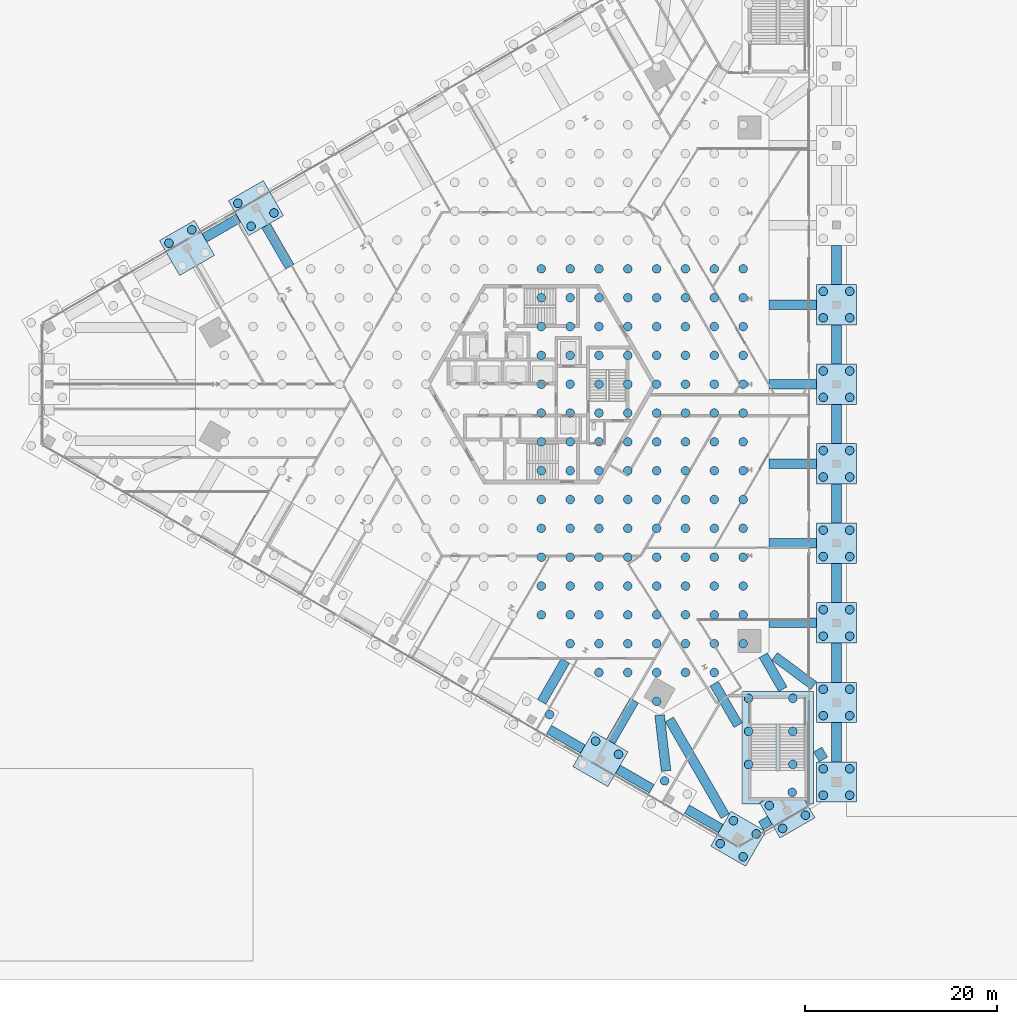
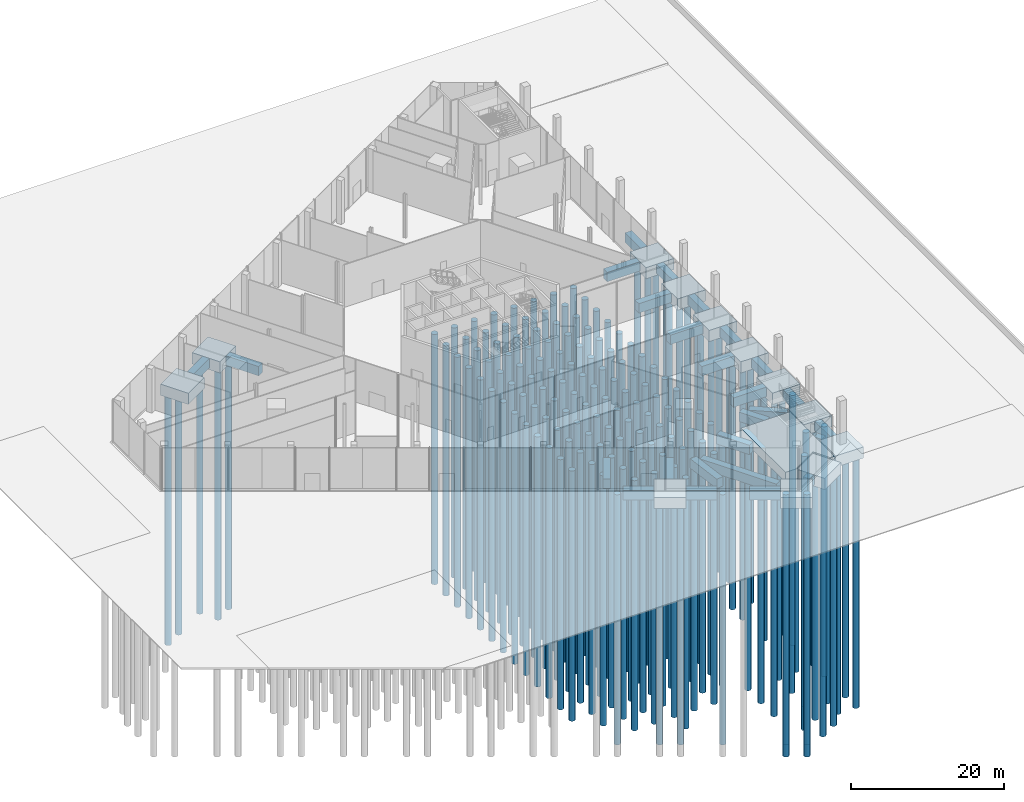
# One storey, part 2 of 27: 168 piles, 39 footings.
"""IFC4 building model written with IfcOpenShell, lengths in metres."""

from ifc_helpers import new_model, si_unit, direction, frame, origin, origin_2d, place, context, subcontext, project, spatial, polyline, rectangle, circle, outline, extrude, source, transform, mapped, material, layer, layer_set, material_profile, profile_set, type_object, element, save


model = new_model("IFC4")

# Units and contexts
model_context = context("Model", 3, precision=1e-05, world=origin(), true_north=direction((0.0, 1.0)))
body_context = subcontext(model_context, "Body", "Model", "MODEL_VIEW")
ifc_project = project(units=[si_unit("LENGTHUNIT", "METRE"), si_unit("AREAUNIT", "SQUARE_METRE"), si_unit("VOLUMEUNIT", "CUBIC_METRE"), si_unit("PLANEANGLEUNIT", "RADIAN"), si_unit("MASSUNIT", "GRAM", prefix="KILO")], contexts=[model_context])

# Site, building, storey
site_placement = place(None, origin())
site = spatial("IfcSite", under=ifc_project, at=site_placement, CompositionType="ELEMENT")
building_placement = place(site_placement, origin())
building = spatial("IfcBuilding", under=site, at=building_placement, Name="Triune Harvest Tower", CompositionType="ELEMENT")
storey_placement = place(building_placement, origin())
storey = spatial("IfcBuildingStorey", under=building, at=storey_placement, Name="L00", CompositionType="ELEMENT", Elevation=0.0)

# Footings
ifc_material_1 = material(Name="Concrete 50 MPa", Category="concrete")
ifc_layer_1 = layer(ifc_material_1, 1.60009765625)
ifc_layer_set_1 = layer_set([ifc_layer_1], Name="Concrete 50 MPa")
footing_type_1 = type_object("IfcFootingType", Name="FT-4 Stair pad 1600", PredefinedType="PILE_CAP", material=ifc_layer_set_1)
footing_1_placement = place(storey_placement, frame((0.0, 0.0, -1.60009765625)))
element("IfcFooting", 1, at=footing_1_placement, inside=storey, type_object=footing_type_1, Name="footing/ps-2", PredefinedType="PILE_CAP", context=body_context, shape_type="SweptSolid", body=[
    extrude(outline(polyline([(20.919921875, -32.0), (28.330078125, -32.0), (28.330078125, -43.699951171875), (27.689697265625, -43.699951171875), (26.385009765625, -41.4404296875), (22.69580078125, -43.5703125), (22.770751953125, -43.699951171875), (20.919921875, -43.699951171875), (20.919921875, -32.0)])), origin(), (0.0, 0.0, 1.0), 1.60009765625),
])
ifc_material_2 = material(Name="Concrete 50 MPa", Category="concrete")
ifc_material_profile_1 = material_profile(ifc_material_2, rectangle(XDim=1.0, YDim=1.5, at=origin_2d()), Name="Concrete 1000x1500")
ifc_profile_set_1 = profile_set([ifc_material_profile_1], Name="Concrete 50 MPa")
footing_type_2 = type_object("IfcFootingType", Name="GB-1 Ground beam 1000x1500", PredefinedType="FOOTING_BEAM", material=ifc_profile_set_1)
footing_2_placement = place(storey_placement, frame((25.14208984375, -31.747314453125, -0.949951171875), z_axis=(-0.500005509203, 0.866022223021, 0.0), x_axis=(-0.866022223021, -0.500005509203, 0.0)))
element("IfcFooting", 2, at=footing_2_placement, inside=storey, type_object=footing_type_2, Name="beam/ground/tie1b", PredefinedType="FOOTING_BEAM", context=body_context, shape_type="SweptSolid", body=[
    extrude(rectangle(XDim=1.0, YDim=1.5, at=origin_2d()), origin(), (0.0, 0.0, 1.0), 4.08154296875),
])

# Piles
ifc_material_3 = material(Name="Concrete 40 MPa", Category="concrete")
ifc_material_profile_2 = material_profile(ifc_material_3, circle(Radius=0.449951171875, at=origin_2d()), Name="Bored 900")
ifc_profile_set_2 = profile_set([ifc_material_profile_2], Name="Concrete 40 MPa")
pile_type = type_object("IfcPileType", Name="PL-1 Auger-cast pile 900", PredefinedType="BORED", material=ifc_profile_set_2)
shared_shape_1 = source(origin(), body_context, "Body", "SweptSolid", [
    extrude(circle(Radius=0.449951171875, at=origin_2d()), origin(), (0.0, 0.0, 1.0), 40.0),
])
for number, where, z_axis, x_axis, name in (
    (3, (0.0, -24.0, -4.10009765625), (0.0, 0.0, -1.0), (1.0, 0.0, 0.0), "pile/raft/120"),
    (4, (0.0, -21.0, -4.10009765625), (0.0, 0.0, -1.0), (1.0, 0.0, 0.0), "pile/raft/121"),
    (5, (0.0, -18.0, -4.10009765625), (0.0, 0.0, -1.0), (1.0, 0.0, 0.0), "pile/raft/122"),
    (6, (0.0, -15.0, -4.10009765625), (0.0, 0.0, -1.0), (1.0, 0.0, 0.0), "pile/raft/123"),
    (7, (0.0, -12.0, -4.10009765625), (0.0, 0.0, -1.0), (1.0, 0.0, 0.0), "pile/raft/124"),
    (8, (0.0, -9.0, -4.10009765625), (0.0, 0.0, -1.0), (1.0, 0.0, 0.0), "pile/raft/125"),
    (9, (0.0, -6.0, -4.10009765625), (0.0, 0.0, -1.0), (1.0, 0.0, 0.0), "pile/raft/126"),
    (10, (0.0, -3.0, -4.10009765625), (0.0, 0.0, -1.0), (1.0, 0.0, 0.0), "pile/raft/127"),
    (11, (0.0, 0.0, -4.10009765625), (0.0, 0.0, -1.0), (1.0, 0.0, 0.0), "pile/raft/128"),
    (12, (0.0, 3.0, -4.10009765625), (0.0, 0.0, -1.0), (1.0, 0.0, 0.0), "pile/raft/129"),
    (13, (0.0, 6.0, -4.10009765625), (0.0, 0.0, -1.0), (1.0, 0.0, 0.0), "pile/raft/130"),
    (14, (0.0, 9.0, -4.10009765625), (0.0, 0.0, -1.0), (1.0, 0.0, 0.0), "pile/raft/131"),
    (15, (0.0, 12.0, -4.10009765625), (0.0, 0.0, -1.0), (1.0, 0.0, 0.0), "pile/raft/132"),
    (16, (3.0, -27.0, -4.10009765625), (0.0, 0.0, -1.0), (1.0, 0.0, 0.0), "pile/raft/137"),
    (17, (3.0, -24.0, -4.10009765625), (0.0, 0.0, -1.0), (1.0, 0.0, 0.0), "pile/raft/138"),
    (18, (3.0, -21.0, -4.10009765625), (0.0, 0.0, -1.0), (1.0, 0.0, 0.0), "pile/raft/139"),
    (19, (3.0, -18.0, -4.10009765625), (0.0, 0.0, -1.0), (1.0, 0.0, 0.0), "pile/raft/140"),
    (20, (3.0, -15.0, -4.10009765625), (0.0, 0.0, -1.0), (1.0, 0.0, 0.0), "pile/raft/141"),
    (21, (3.0, -12.0, -4.10009765625), (0.0, 0.0, -1.0), (1.0, 0.0, 0.0), "pile/raft/142"),
    (22, (3.0, -9.0, -4.10009765625), (0.0, 0.0, -1.0), (1.0, 0.0, 0.0), "pile/raft/143"),
    (23, (3.0, -6.0, -4.10009765625), (0.0, 0.0, -1.0), (1.0, 0.0, 0.0), "pile/raft/144"),
    (24, (3.0, -3.0, -4.10009765625), (0.0, 0.0, -1.0), (1.0, 0.0, 0.0), "pile/raft/145"),
    (25, (3.0, 0.0, -4.10009765625), (0.0, 0.0, -1.0), (1.0, 0.0, 0.0), "pile/raft/146"),
    (26, (3.0, 3.0, -4.10009765625), (0.0, 0.0, -1.0), (1.0, 0.0, 0.0), "pile/raft/147"),
    (27, (3.0, 6.0, -4.10009765625), (0.0, 0.0, -1.0), (1.0, 0.0, 0.0), "pile/raft/148"),
    (28, (3.0, 9.0, -4.10009765625), (0.0, 0.0, -1.0), (1.0, 0.0, 0.0), "pile/raft/149"),
    (29, (3.0, 12.0, -4.10009765625), (0.0, 0.0, -1.0), (1.0, 0.0, 0.0), "pile/raft/150"),
    (30, (6.0, -30.0, -4.10009765625), (0.0, 0.0, -1.0), (1.0, 0.0, 0.0), "pile/raft/156"),
    (31, (6.0, -27.0, -4.10009765625), (0.0, 0.0, -1.0), (1.0, 0.0, 0.0), "pile/raft/157"),
    (32, (6.0, -24.0, -4.10009765625), (0.0, 0.0, -1.0), (1.0, 0.0, 0.0), "pile/raft/158"),
    (33, (6.0, -21.0, -4.10009765625), (0.0, 0.0, -1.0), (1.0, 0.0, 0.0), "pile/raft/159"),
    (34, (6.0, -18.0, -4.10009765625), (0.0, 0.0, -1.0), (1.0, 0.0, 0.0), "pile/raft/160"),
    (35, (6.0, -15.0, -4.10009765625), (0.0, 0.0, -1.0), (1.0, 0.0, 0.0), "pile/raft/161"),
    (36, (6.0, -12.0, -4.10009765625), (0.0, 0.0, -1.0), (1.0, 0.0, 0.0), "pile/raft/162"),
    (37, (6.0, -9.0, -4.10009765625), (0.0, 0.0, -1.0), (1.0, 0.0, 0.0), "pile/raft/163"),
    (38, (6.0, -6.0, -4.10009765625), (0.0, 0.0, -1.0), (1.0, 0.0, 0.0), "pile/raft/164"),
    (39, (6.0, -3.0, -4.10009765625), (0.0, 0.0, -1.0), (1.0, 0.0, 0.0), "pile/raft/165"),
    (40, (6.0, 0.0, -4.10009765625), (0.0, 0.0, -1.0), (1.0, 0.0, 0.0), "pile/raft/166"),
    (41, (6.0, 3.0, -4.10009765625), (0.0, 0.0, -1.0), (1.0, 0.0, 0.0), "pile/raft/167"),
    (42, (6.0, 6.0, -4.10009765625), (0.0, 0.0, -1.0), (1.0, 0.0, 0.0), "pile/raft/168"),
    (43, (6.0, 9.0, -4.10009765625), (0.0, 0.0, -1.0), (1.0, 0.0, 0.0), "pile/raft/169"),
    (44, (6.0, 12.0, -4.10009765625), (0.0, 0.0, -1.0), (1.0, 0.0, 0.0), "pile/raft/170"),
    (45, (9.0, -30.0, -4.10009765625), (0.0, 0.0, -1.0), (1.0, 0.0, 0.0), "pile/raft/177"),
    (46, (9.0, -27.0, -4.10009765625), (0.0, 0.0, -1.0), (1.0, 0.0, 0.0), "pile/raft/178"),
    (47, (9.0, -24.0, -4.10009765625), (0.0, 0.0, -1.0), (1.0, 0.0, 0.0), "pile/raft/179"),
    (48, (9.0, -21.0, -4.10009765625), (0.0, 0.0, -1.0), (1.0, 0.0, 0.0), "pile/raft/180"),
    (49, (9.0, -18.0, -4.10009765625), (0.0, 0.0, -1.0), (1.0, 0.0, 0.0), "pile/raft/181"),
    (50, (9.0, -15.0, -4.10009765625), (0.0, 0.0, -1.0), (1.0, 0.0, 0.0), "pile/raft/182"),
    (51, (9.0, -12.0, -4.10009765625), (0.0, 0.0, -1.0), (1.0, 0.0, 0.0), "pile/raft/183"),
    (52, (9.0, -9.0, -4.10009765625), (0.0, 0.0, -1.0), (1.0, 0.0, 0.0), "pile/raft/184"),
    (53, (9.0, -6.0, -4.10009765625), (0.0, 0.0, -1.0), (1.0, 0.0, 0.0), "pile/raft/185"),
    (54, (9.0, -3.0, -4.10009765625), (0.0, 0.0, -1.0), (1.0, 0.0, 0.0), "pile/raft/186"),
    (55, (9.0, 0.0, -4.10009765625), (0.0, 0.0, -1.0), (1.0, 0.0, 0.0), "pile/raft/187"),
    (56, (9.0, 3.0, -4.10009765625), (0.0, 0.0, -1.0), (1.0, 0.0, 0.0), "pile/raft/188"),
    (57, (9.0, 6.0, -4.10009765625), (0.0, 0.0, -1.0), (1.0, 0.0, 0.0), "pile/raft/189"),
    (58, (9.0, 9.0, -4.10009765625), (0.0, 0.0, -1.0), (1.0, 0.0, 0.0), "pile/raft/190"),
    (59, (9.0, 12.0, -4.10009765625), (0.0, 0.0, -1.0), (1.0, 0.0, 0.0), "pile/raft/191"),
    (60, (12.0, -33.0, -4.10009765625), (0.0, 0.0, -1.0), (1.0, 0.0, 0.0), "pile/raft/198"),
    (61, (12.0, -30.0, -4.10009765625), (0.0, 0.0, -1.0), (1.0, 0.0, 0.0), "pile/raft/199"),
    (62, (12.0, -27.0, -4.10009765625), (0.0, 0.0, -1.0), (1.0, 0.0, 0.0), "pile/raft/200"),
    (63, (12.0, -24.0, -4.10009765625), (0.0, 0.0, -1.0), (1.0, 0.0, 0.0), "pile/raft/201"),
    (64, (12.0, -21.0, -4.10009765625), (0.0, 0.0, -1.0), (1.0, 0.0, 0.0), "pile/raft/202"),
    (65, (12.0, -18.0, -4.10009765625), (0.0, 0.0, -1.0), (1.0, 0.0, 0.0), "pile/raft/203"),
    (66, (12.0, -15.0, -4.10009765625), (0.0, 0.0, -1.0), (1.0, 0.0, 0.0), "pile/raft/204"),
    (67, (12.0, -12.0, -4.10009765625), (0.0, 0.0, -1.0), (1.0, 0.0, 0.0), "pile/raft/205"),
    (68, (12.0, -9.0, -4.10009765625), (0.0, 0.0, -1.0), (1.0, 0.0, 0.0), "pile/raft/206"),
    (69, (12.0, -6.0, -4.10009765625), (0.0, 0.0, -1.0), (1.0, 0.0, 0.0), "pile/raft/207"),
    (70, (12.0, -3.0, -4.10009765625), (0.0, 0.0, -1.0), (1.0, 0.0, 0.0), "pile/raft/208"),
    (71, (12.0, 0.0, -4.10009765625), (0.0, 0.0, -1.0), (1.0, 0.0, 0.0), "pile/raft/209"),
    (72, (12.0, 3.0, -4.10009765625), (0.0, 0.0, -1.0), (1.0, 0.0, 0.0), "pile/raft/210"),
    (73, (12.0, 6.0, -4.10009765625), (0.0, 0.0, -1.0), (1.0, 0.0, 0.0), "pile/raft/211"),
    (74, (12.0, 9.0, -4.10009765625), (0.0, 0.0, -1.0), (1.0, 0.0, 0.0), "pile/raft/212"),
    (75, (12.0, 12.0, -4.10009765625), (0.0, 0.0, -1.0), (1.0, 0.0, 0.0), "pile/raft/213"),
    (76, (15.0, -30.0, -4.10009765625), (0.0, 0.0, -1.0), (1.0, 0.0, 0.0), "pile/raft/221"),
    (77, (15.0, -27.0, -4.10009765625), (0.0, 0.0, -1.0), (1.0, 0.0, 0.0), "pile/raft/222"),
    (78, (15.0, -24.0, -4.10009765625), (0.0, 0.0, -1.0), (1.0, 0.0, 0.0), "pile/raft/223"),
    (79, (15.0, -21.0, -4.10009765625), (0.0, 0.0, -1.0), (1.0, 0.0, 0.0), "pile/raft/224"),
    (80, (15.0, -18.0, -4.10009765625), (0.0, 0.0, -1.0), (1.0, 0.0, 0.0), "pile/raft/225"),
    (81, (15.0, -15.0, -4.10009765625), (0.0, 0.0, -1.0), (1.0, 0.0, 0.0), "pile/raft/226"),
    (82, (15.0, -12.0, -4.10009765625), (0.0, 0.0, -1.0), (1.0, 0.0, 0.0), "pile/raft/227"),
    (83, (15.0, -9.0, -4.10009765625), (0.0, 0.0, -1.0), (1.0, 0.0, 0.0), "pile/raft/228"),
    (84, (15.0, -6.0, -4.10009765625), (0.0, 0.0, -1.0), (1.0, 0.0, 0.0), "pile/raft/229"),
    (85, (15.0, -3.0, -4.10009765625), (0.0, 0.0, -1.0), (1.0, 0.0, 0.0), "pile/raft/230"),
    (86, (15.0, 0.0, -4.10009765625), (0.0, 0.0, -1.0), (1.0, 0.0, 0.0), "pile/raft/231"),
    (87, (15.0, 3.0, -4.10009765625), (0.0, 0.0, -1.0), (1.0, 0.0, 0.0), "pile/raft/232"),
    (88, (15.0, 6.0, -4.10009765625), (0.0, 0.0, -1.0), (1.0, 0.0, 0.0), "pile/raft/233"),
    (89, (15.0, 9.0, -4.10009765625), (0.0, 0.0, -1.0), (1.0, 0.0, 0.0), "pile/raft/234"),
    (90, (15.0, 12.0, -4.10009765625), (0.0, 0.0, -1.0), (1.0, 0.0, 0.0), "pile/raft/235"),
    (91, (18.0, -30.0, -4.10009765625), (0.0, 0.0, -1.0), (1.0, 0.0, 0.0), "pile/raft/242"),
    (92, (18.0, -27.0, -4.10009765625), (0.0, 0.0, -1.0), (1.0, 0.0, 0.0), "pile/raft/243"),
    (93, (18.0, -24.0, -4.10009765625), (0.0, 0.0, -1.0), (1.0, 0.0, 0.0), "pile/raft/244"),
    (94, (18.0, -21.0, -4.10009765625), (0.0, 0.0, -1.0), (1.0, 0.0, 0.0), "pile/raft/245"),
    (95, (18.0, -18.0, -4.10009765625), (0.0, 0.0, -1.0), (1.0, 0.0, 0.0), "pile/raft/246"),
    (96, (18.0, -15.0, -4.10009765625), (0.0, 0.0, -1.0), (1.0, 0.0, 0.0), "pile/raft/247"),
    (97, (18.0, -12.0, -4.10009765625), (0.0, 0.0, -1.0), (1.0, 0.0, 0.0), "pile/raft/248"),
    (98, (18.0, -9.0, -4.10009765625), (0.0, 0.0, -1.0), (1.0, 0.0, 0.0), "pile/raft/249"),
    (99, (18.0, -6.0, -4.10009765625), (0.0, 0.0, -1.0), (1.0, 0.0, 0.0), "pile/raft/250"),
    (100, (18.0, -3.0, -4.10009765625), (0.0, 0.0, -1.0), (1.0, 0.0, 0.0), "pile/raft/251"),
    (101, (18.0, 0.0, -4.10009765625), (0.0, 0.0, -1.0), (1.0, 0.0, 0.0), "pile/raft/252"),
    (102, (18.0, 3.0, -4.10009765625), (0.0, 0.0, -1.0), (1.0, 0.0, 0.0), "pile/raft/253"),
    (103, (18.0, 6.0, -4.10009765625), (0.0, 0.0, -1.0), (1.0, 0.0, 0.0), "pile/raft/254"),
    (104, (18.0, 9.0, -4.10009765625), (0.0, 0.0, -1.0), (1.0, 0.0, 0.0), "pile/raft/255"),
    (105, (18.0, 12.0, -4.10009765625), (0.0, 0.0, -1.0), (1.0, 0.0, 0.0), "pile/raft/256"),
    (106, (21.0, -27.0, -4.10009765625), (0.0, 0.0, -1.0), (1.0, 0.0, 0.0), "pile/raft/263"),
    (107, (21.0, -24.0, -4.10009765625), (0.0, 0.0, -1.0), (1.0, 0.0, 0.0), "pile/raft/264"),
    (108, (21.0, -21.0, -4.10009765625), (0.0, 0.0, -1.0), (1.0, 0.0, 0.0), "pile/raft/265"),
    (109, (21.0, -18.0, -4.10009765625), (0.0, 0.0, -1.0), (1.0, 0.0, 0.0), "pile/raft/266"),
    (110, (21.0, -15.0, -4.10009765625), (0.0, 0.0, -1.0), (1.0, 0.0, 0.0), "pile/raft/267"),
    (111, (21.0, -12.0, -4.10009765625), (0.0, 0.0, -1.0), (1.0, 0.0, 0.0), "pile/raft/268"),
    (112, (21.0, -9.0, -4.10009765625), (0.0, 0.0, -1.0), (1.0, 0.0, 0.0), "pile/raft/269"),
    (113, (21.0, -6.0, -4.10009765625), (0.0, 0.0, -1.0), (1.0, 0.0, 0.0), "pile/raft/270"),
    (114, (21.0, -3.0, -4.10009765625), (0.0, 0.0, -1.0), (1.0, 0.0, 0.0), "pile/raft/271"),
    (115, (21.0, 0.0, -4.10009765625), (0.0, 0.0, -1.0), (1.0, 0.0, 0.0), "pile/raft/272"),
    (116, (21.0, 3.0, -4.10009765625), (0.0, 0.0, -1.0), (1.0, 0.0, 0.0), "pile/raft/273"),
    (117, (21.0, 6.0, -4.10009765625), (0.0, 0.0, -1.0), (1.0, 0.0, 0.0), "pile/raft/274"),
    (118, (21.0, 9.0, -4.10009765625), (0.0, 0.0, -1.0), (1.0, 0.0, 0.0), "pile/raft/275"),
    (119, (21.0, 12.0, -4.10009765625), (0.0, 0.0, -1.0), (1.0, 0.0, 0.0), "pile/raft/276"),
    (120, (32.090087890625, -42.77490234375, -1.89990234375), (0.0, 0.0, -1.0), (1.0, 0.0, 0.0), "pile/cap1/1"),
    (121, (32.090087890625, -40.02490234375, -1.89990234375), (0.0, 0.0, -1.0), (1.0, 0.0, 0.0), "pile/cap1/2"),
    (122, (29.340087890625, -40.02490234375, -1.89990234375), (0.0, 0.0, -1.0), (1.0, 0.0, 0.0), "pile/cap1/3"),
    (123, (29.340087890625, -42.77490234375, -1.89990234375), (0.0, 0.0, -1.0), (1.0, 0.0, 0.0), "pile/cap1/4"),
    (124, (32.090087890625, -34.4951171875, -1.89990234375), (0.0, 0.0, -1.0), (1.0, 0.0, 0.0), "pile/cap2/1"),
    (125, (32.090087890625, -31.7451171875, -1.89990234375), (0.0, 0.0, -1.0), (1.0, 0.0, 0.0), "pile/cap2/2"),
    (126, (29.340087890625, -31.7451171875, -1.89990234375), (0.0, 0.0, -1.0), (1.0, 0.0, 0.0), "pile/cap2/3"),
    (127, (29.340087890625, -34.4951171875, -1.89990234375), (0.0, 0.0, -1.0), (1.0, 0.0, 0.0), "pile/cap2/4"),
    (128, (32.090087890625, -26.215087890625, -1.89990234375), (0.0, 0.0, -1.0), (1.0, 0.0, 0.0), "pile/cap3/1"),
    (129, (32.090087890625, -23.465087890625, -1.89990234375), (0.0, 0.0, -1.0), (1.0, 0.0, 0.0), "pile/cap3/2"),
    (130, (29.340087890625, -23.465087890625, -1.89990234375), (0.0, 0.0, -1.0), (1.0, 0.0, 0.0), "pile/cap3/3"),
    (131, (29.340087890625, -26.215087890625, -1.89990234375), (0.0, 0.0, -1.0), (1.0, 0.0, 0.0), "pile/cap3/4"),
    (132, (32.090087890625, -17.93505859375, -1.89990234375), (0.0, 0.0, -1.0), (1.0, 0.0, 0.0), "pile/cap4/1"),
    (133, (32.090087890625, -15.18505859375, -1.89990234375), (0.0, 0.0, -1.0), (1.0, 0.0, 0.0), "pile/cap4/2"),
    (134, (29.340087890625, -15.18505859375, -1.89990234375), (0.0, 0.0, -1.0), (1.0, 0.0, 0.0), "pile/cap4/3"),
    (135, (29.340087890625, -17.93505859375, -1.89990234375), (0.0, 0.0, -1.0), (1.0, 0.0, 0.0), "pile/cap4/4"),
    (136, (32.090087890625, -9.655029296875, -1.89990234375), (0.0, 0.0, -1.0), (1.0, 0.0, 0.0), "pile/cap5/1"),
    (137, (32.090087890625, -6.905029296875, -1.89990234375), (0.0, 0.0, -1.0), (1.0, 0.0, 0.0), "pile/cap5/2"),
    (138, (29.340087890625, -6.905029296875, -1.89990234375), (0.0, 0.0, -1.0), (1.0, 0.0, 0.0), "pile/cap5/3"),
    (139, (29.340087890625, -9.655029296875, -1.89990234375), (0.0, 0.0, -1.0), (1.0, 0.0, 0.0), "pile/cap5/4"),
    (140, (32.090087890625, -1.375, -1.89990234375), (0.0, 0.0, -1.0), (1.0, 0.0, 0.0), "pile/cap6/1"),
    (141, (32.090087890625, 1.375, -1.89990234375), (0.0, 0.0, -1.0), (1.0, 0.0, 0.0), "pile/cap6/2"),
    (142, (29.340087890625, 1.375, -1.89990234375), (0.0, 0.0, -1.0), (1.0, 0.0, 0.0), "pile/cap6/3"),
    (143, (29.340087890625, -1.375, -1.89990234375), (0.0, 0.0, -1.0), (1.0, 0.0, 0.0), "pile/cap6/4"),
    (144, (32.090087890625, 6.905029296875, -1.89990234375), (0.0, 0.0, -1.0), (1.0, 0.0, 0.0), "pile/cap7/1"),
    (145, (32.090087890625, 9.655029296875, -1.89990234375), (0.0, 0.0, -1.0), (1.0, 0.0, 0.0), "pile/cap7/2"),
    (146, (29.340087890625, 9.655029296875, -1.89990234375), (0.0, 0.0, -1.0), (1.0, 0.0, 0.0), "pile/cap7/3"),
    (147, (29.340087890625, 6.905029296875, -1.89990234375), (0.0, 0.0, -1.0), (1.0, 0.0, 0.0), "pile/cap7/4"),
    (148, (-31.5771484375, 18.8232421875, -1.89990234375), (0.0, 0.0, -1.0), (1.0, 0.0, 0.0), "pile/cap20/2"),
    (149, (-30.2021484375, 16.441650390625, -1.89990234375), (0.0, 0.0, -1.0), (1.0, 0.0, 0.0), "pile/cap20/3"),
    (150, (-27.820556640625, 17.816650390625, -1.89990234375), (0.0, 0.0, -1.0), (1.0, 0.0, 0.0), "pile/cap20/4"),
    (151, (-36.3662109375, 16.058349609375, -1.89990234375), (0.0, 0.0, -1.0), (1.0, 0.0, 0.0), "pile/cap21/1"),
    (152, (-38.747802734375, 14.683349609375, -1.89990234375), (0.0, 0.0, -1.0), (1.0, 0.0, 0.0), "pile/cap21/2"),
    (153, (0.862060546875, -34.376708984375, -1.89990234375), (0.0, 0.0, -1.0), (1.0, 0.0, 0.0), "pile/cap32/3"),
    (154, (8.03271484375, -38.5166015625, -1.89990234375), (0.0, 0.0, -1.0), (1.0, 0.0, 0.0), "pile/cap33/3"),
    (155, (5.651123046875, -37.1416015625, -1.89990234375), (0.0, 0.0, -1.0), (1.0, 0.0, 0.0), "pile/cap33/4"),
    (156, (12.822021484375, -41.28173828125, -1.89990234375), (0.0, 0.0, -1.0), (1.0, 0.0, 0.0), "pile/cap34/4"),
    (157, (18.61767578125, -47.80322265625, -1.89990234375), (0.0, 0.0, -1.0), (1.0, 0.0, 0.0), "pile/cap35/1"),
    (158, (20.999267578125, -49.17822265625, -1.89990234375), (0.0, 0.0, -1.0), (1.0, 0.0, 0.0), "pile/cap35/2"),
    (159, (22.374267578125, -46.796630859375, -1.89990234375), (0.0, 0.0, -1.0), (1.0, 0.0, 0.0), "pile/cap35/3"),
    (160, (19.99267578125, -45.421630859375, -1.89990234375), (0.0, 0.0, -1.0), (1.0, 0.0, 0.0), "pile/cap35/4"),
    (161, (25.102294921875, -46.228271484375, -1.89990234375), (0.0, 0.0, -1.0), (1.0, 0.0, 0.0), "pile/cap36/1"),
    (162, (27.48388671875, -44.853271484375, -1.89990234375), (0.0, 0.0, -1.0), (1.0, 0.0, 0.0), "pile/cap36/2"),
    (163, (26.10888671875, -42.4716796875, -1.89990234375), (0.0, 0.0, -1.0), (1.0, 0.0, 0.0), "pile/cap36/3"),
    (164, (23.727294921875, -43.8466796875, -1.89990234375), (0.0, 0.0, -1.0), (1.0, 0.0, 0.0), "pile/cap36/4"),
    (165, (21.570068359375, -39.566650390625, -1.5), (0.0, 0.0, -1.0), (1.0, 0.0, 0.0), "pile/ps-2/1"),
    (166, (26.179931640625, -39.566650390625, -1.5), (0.0, 0.0, -1.0), (1.0, 0.0, 0.0), "pile/ps-2/2"),
    (167, (21.570068359375, -36.13330078125, -1.5), (0.0, 0.0, -1.0), (1.0, 0.0, 0.0), "pile/ps-2/3"),
    (168, (26.179931640625, -36.13330078125, -1.5), (0.0, 0.0, -1.0), (1.0, 0.0, 0.0), "pile/ps-2/4"),
    (169, (21.570068359375, -32.699951171875, -1.5), (0.0, 0.0, -1.0), (1.0, 0.0, 0.0), "pile/ps-2/5"),
    (170, (26.179931640625, -32.699951171875, -1.5), (0.0, 0.0, -1.0), (1.0, 0.0, 0.0), "pile/ps-2/6"),
):
    element("IfcPile", number, at=place(storey_placement, frame(where, z_axis=z_axis, x_axis=x_axis)), inside=storey, type_object=pile_type, Name=name, PredefinedType="BORED", context=body_context, shape_type="MappedRepresentation", body=[
        mapped(shared_shape_1, transform((0.0, 0.0, 0.0), scale=1.0)),
    ])

# Footings
ifc_material_4 = material(Name="Concrete 50 MPa", Category="concrete")
ifc_layer_2 = layer(ifc_material_4, 1.800048828125)
ifc_layer_set_2 = layer_set([ifc_layer_2], Name="Concrete 50 MPa")
footing_type_3 = type_object("IfcFootingType", Name="FT-2 Pile cap 4200", PredefinedType="PILE_CAP", material=ifc_layer_set_2)
shared_shape_2 = source(origin(), body_context, "Body", "SweptSolid", [
    extrude(rectangle(XDim=4.199951171875, YDim=4.199951171875, at=origin_2d()), origin(), (0.0, 0.0, 1.0), 1.800048828125),
])
for number, where, z_axis, x_axis, name in (
    (171, (30.715087890625, -41.39990234375, -2.0), (0.0, 0.0, 1.0), (0.0, 1.0, 0.0), "footing/cap/1"),
    (172, (30.715087890625, -33.1201171875, -2.0), (0.0, 0.0, 1.0), (0.0, 1.0, 0.0), "footing/cap/2"),
    (173, (30.715087890625, -24.840087890625, -2.0), (0.0, 0.0, 1.0), (0.0, 1.0, 0.0), "footing/cap/3"),
    (174, (30.715087890625, -16.56005859375, -2.0), (0.0, 0.0, 1.0), (0.0, 1.0, 0.0), "footing/cap/4"),
    (175, (30.715087890625, -8.280029296875, -2.0), (0.0, 0.0, 1.0), (0.0, 1.0, 0.0), "footing/cap/5"),
    (176, (30.715087890625, 0.0, -2.0), (0.0, 0.0, 1.0), (0.0, 1.0, 0.0), "footing/cap/6"),
    (177, (30.715087890625, 8.280029296875, -2.0), (0.0, 0.0, 1.0), (0.0, 1.0, 0.0), "footing/cap/7"),
    (178, (-29.698974609375, 18.320068359375, -2.0), (0.0, 0.0, 1.0), (-0.866025403784, -0.5, 0.0), "footing/cap/20"),
    (179, (-36.86962890625, 14.179931640625, -2.0), (0.0, 0.0, 1.0), (-0.866025403784, -0.5, 0.0), "footing/cap/21"),
    (180, (6.154541015625, -39.02001953125, -2.0), (0.0, 0.0, 1.0), (0.866025403784, -0.5, 0.0), "footing/cap/33"),
    (181, (20.495849609375, -47.300048828125, -2.0), (0.0, 0.0, 1.0), (0.866025403784, -0.5, 0.0), "footing/cap/35"),
    (182, (25.60546875, -44.35009765625, -2.0), (0.0, 0.0, 1.0), (0.866027149108, 0.499996976998, 0.0), "footing/cap/36"),
):
    element("IfcFooting", number, at=place(storey_placement, frame(where, z_axis=z_axis, x_axis=x_axis)), inside=storey, type_object=footing_type_3, Name=name, PredefinedType="PILE_CAP", context=body_context, shape_type="MappedRepresentation", body=[
        mapped(shared_shape_2, transform((0.0, 0.0, 0.0), scale=1.0)),
    ])
shared_shape_3 = source(origin(), body_context, "Body", "SweptSolid", [
    extrude(rectangle(XDim=1.0, YDim=1.5, at=origin_2d()), origin(), (0.0, 0.0, 1.0), 4.07421875),
])
footing_3_placement = place(storey_placement, frame((30.715087890625, -39.297119140625, -0.949951171875), z_axis=(0.0, 1.0, 0.0), x_axis=(-1.0, 0.0, 0.0)))
element("IfcFooting", 183, at=footing_3_placement, inside=storey, type_object=footing_type_2, Name="beam/ground/1", PredefinedType="FOOTING_BEAM", context=body_context, shape_type="MappedRepresentation", body=[
    mapped(shared_shape_3, transform((0.0, 0.0, 0.0), scale=1.0)),
])
shared_shape_4 = source(origin(), body_context, "Body", "SweptSolid", [
    extrude(rectangle(XDim=1.0, YDim=1.5, at=origin_2d()), origin(), (0.0, 0.0, 1.0), 4.073974609375),
])
for number, where, z_axis, x_axis, name in (
    (184, (30.715087890625, -31.01708984375, -0.949951171875), (0.0, 1.0, 0.0), (-1.0, 0.0, 0.0), "beam/ground/2"),
    (185, (30.715087890625, -22.737060546875, -0.949951171875), (0.0, 1.0, 0.0), (-1.0, 0.0, 0.0), "beam/ground/3"),
    (186, (30.715087890625, -14.45703125, -0.949951171875), (0.0, 1.0, 0.0), (-1.0, 0.0, 0.0), "beam/ground/4"),
    (187, (30.715087890625, -6.177001953125, -0.949951171875), (0.0, 1.0, 0.0), (-1.0, 0.0, 0.0), "beam/ground/5"),
    (188, (30.715087890625, 2.10302734375, -0.949951171875), (0.0, 1.0, 0.0), (-1.0, 0.0, 0.0), "beam/ground/6"),
    (189, (30.715087890625, 10.383056640625, -0.949951171875), (0.0, 1.0, 0.0), (-1.0, 0.0, 0.0), "beam/ground/7"),
    (190, (-31.520263671875, 17.2685546875, -0.949951171875), (-0.866006946562, -0.500031967484, 0.0), (0.500031967484, -0.866006946562, 0.0), "beam/ground/20"),
    (191, (0.80517578125, -35.931396484375, -0.949951171875), (0.866006946562, -0.500031967484, 0.0), (0.500031967484, 0.866006946562, 0.0), "beam/ground/32"),
    (192, (15.146484375, -44.21142578125, -0.949951171875), (0.866006946562, -0.500031967484, 0.0), (0.500031967484, 0.866006946562, 0.0), "beam/ground/34"),
):
    element("IfcFooting", number, at=place(storey_placement, frame(where, z_axis=z_axis, x_axis=x_axis)), inside=storey, type_object=footing_type_2, Name=name, PredefinedType="FOOTING_BEAM", context=body_context, shape_type="MappedRepresentation", body=[
        mapped(shared_shape_4, transform((0.0, 0.0, 0.0), scale=1.0)),
    ])
shared_shape_5 = source(origin(), body_context, "Body", "SweptSolid", [
    extrude(rectangle(XDim=1.0, YDim=1.5, at=origin_2d()), origin(), (0.0, 0.0, 1.0), 1.0791015625),
])
footing_4_placement = place(storey_placement, frame((22.849609375, -45.941162109375, -0.949951171875), z_axis=(0.866034889475, 0.499983569942, 0.0), x_axis=(-0.499983569942, 0.866034889475, 0.0)))
element("IfcFooting", 193, at=footing_4_placement, inside=storey, type_object=footing_type_2, Name="beam/ground/35", PredefinedType="FOOTING_BEAM", context=body_context, shape_type="MappedRepresentation", body=[
    mapped(shared_shape_5, transform((0.0, 0.0, 0.0), scale=1.0)),
])
shared_shape_6 = source(origin(), body_context, "Body", "SweptSolid", [
    extrude(rectangle(XDim=1.0, YDim=1.5, at=origin_2d()), origin(), (0.0, 0.0, 1.0), 4.07373046875),
])
footing_5_placement = place(storey_placement, frame((7.975830078125, -40.071533203125, -0.949951171875), z_axis=(0.866032896488, -0.499987022033, 0.0), x_axis=(0.499987022033, 0.866032896488, 0.0)))
element("IfcFooting", 194, at=footing_5_placement, inside=storey, type_object=footing_type_2, Name="beam/ground/33", PredefinedType="FOOTING_BEAM", context=body_context, shape_type="MappedRepresentation", body=[
    mapped(shared_shape_6, transform((0.0, 0.0, 0.0), scale=1.0)),
])
shared_shape_7 = source(origin(), body_context, "Body", "SweptSolid", [
    extrude(rectangle(XDim=1.0, YDim=1.5, at=origin_2d()), origin(), (0.0, 0.0, 1.0), 1.18701171875),
])
footing_6_placement = place(storey_placement, frame((29.356201171875, -39.04638671875, -0.949951171875), z_axis=(-0.499965759324, 0.866045171745, 0.0), x_axis=(-0.866045171745, -0.499965759324, 0.0)))
element("IfcFooting", 195, at=footing_6_placement, inside=storey, type_object=footing_type_2, Name="beam/ground/tie1", PredefinedType="FOOTING_BEAM", context=body_context, shape_type="MappedRepresentation", body=[
    mapped(shared_shape_7, transform((0.0, 0.0, 0.0), scale=1.0)),
])
shared_shape_8 = source(origin(), body_context, "Body", "SweptSolid", [
    extrude(rectangle(XDim=1.0, YDim=1.5, at=origin_2d()), origin(), (0.0, 0.0, 1.0), 5.087158203125),
])
footing_7_placement = place(storey_placement, frame((28.35595703125, -31.364990234375, -0.949951171875), z_axis=(-0.802332101077, 0.596877876606, 0.0), x_axis=(-0.596877876606, -0.802332101077, 0.0)))
element("IfcFooting", 196, at=footing_7_placement, inside=storey, type_object=footing_type_2, Name="beam/ground/tie2", PredefinedType="FOOTING_BEAM", context=body_context, shape_type="MappedRepresentation", body=[
    mapped(shared_shape_8, transform((0.0, 0.0, 0.0), scale=1.0)),
])
shared_shape_9 = source(origin(), body_context, "Body", "SweptSolid", [
    extrude(rectangle(XDim=1.0, YDim=1.5, at=origin_2d()), origin(), (0.0, 0.0, 1.0), 4.937744140625),
])
for number, where, z_axis, x_axis, name in (
    (197, (28.612060546875, -24.840087890625, -0.949951171875), (-1.0, 0.0, 0.0), (0.0, -1.0, 0.0), "beam/ground/tie3"),
    (198, (28.612060546875, -16.56005859375, -0.949951171875), (-1.0, 0.0, 0.0), (0.0, -1.0, 0.0), "beam/ground/tie4"),
    (199, (28.612060546875, -8.280029296875, -0.949951171875), (-1.0, 0.0, 0.0), (0.0, -1.0, 0.0), "beam/ground/tie5"),
    (200, (28.612060546875, 0.0, -0.949951171875), (-1.0, 0.0, 0.0), (0.0, -1.0, 0.0), "beam/ground/tie6"),
    (201, (28.612060546875, 8.280029296875, -0.949951171875), (-1.0, 0.0, 0.0), (0.0, -1.0, 0.0), "beam/ground/tie7"),
):
    element("IfcFooting", number, at=place(storey_placement, frame(where, z_axis=z_axis, x_axis=x_axis)), inside=storey, type_object=footing_type_2, Name=name, PredefinedType="FOOTING_BEAM", context=body_context, shape_type="MappedRepresentation", body=[
        mapped(shared_shape_9, transform((0.0, 0.0, 0.0), scale=1.0)),
    ])
shared_shape_10 = source(origin(), body_context, "Body", "SweptSolid", [
    extrude(rectangle(XDim=1.0, YDim=1.5, at=origin_2d()), origin(), (0.0, 0.0, 1.0), 5.835693359375),
])
footing_8_placement = place(storey_placement, frame((12.98486328125, -40.239501953125, -0.949951171875), z_axis=(-0.115761002686, 0.993277096412, 0.0), x_axis=(-0.993277096412, -0.115761002686, 0.0)))
element("IfcFooting", 202, at=footing_8_placement, inside=storey, type_object=footing_type_2, Name="beam/ground/tie34", PredefinedType="FOOTING_BEAM", context=body_context, shape_type="MappedRepresentation", body=[
    mapped(shared_shape_10, transform((0.0, 0.0, 0.0), scale=1.0)),
])
shared_shape_11 = source(origin(), body_context, "Body", "SweptSolid", [
    extrude(rectangle(XDim=1.0, YDim=1.5, at=origin_2d()), origin(), (0.0, 0.0, 1.0), 4.991455078125),
])
footing_9_placement = place(storey_placement, frame((20.487548828125, -35.4853515625, -0.949951171875), z_axis=(-0.50001599868, 0.866016166745, 0.0), x_axis=(-0.866016166745, -0.50001599868, 0.0)))
element("IfcFooting", 203, at=footing_9_placement, inside=storey, type_object=footing_type_2, Name="beam/ground/tie36", PredefinedType="FOOTING_BEAM", context=body_context, shape_type="MappedRepresentation", body=[
    mapped(shared_shape_11, transform((0.0, 0.0, 0.0), scale=1.0)),
])
shared_shape_12 = source(origin(), body_context, "Body", "SweptSolid", [
    extrude(rectangle(XDim=1.0, YDim=1.5, at=origin_2d()), origin(), (0.0, 0.0, 1.0), 4.9375),
])
for number, where, z_axis, x_axis, name in (
    (204, (-28.6474609375, 16.498779296875, -0.949951171875), (0.499989246947, -0.866031611973, 0.0), (0.866031611973, 0.499989246947, 0.0), "beam/ground/tie20"),
    (205, (0.035400390625, -33.05859375, -0.949951171875), (0.500010657777, 0.866019250426, 0.0), (-0.866019250426, 0.500010657777, 0.0), "beam/ground/tie32"),
    (206, (7.2060546875, -37.19873046875, -0.949951171875), (0.499989246947, 0.866031611973, 0.0), (-0.866031611973, 0.499989246947, 0.0), "beam/ground/tie33"),
):
    element("IfcFooting", number, at=place(storey_placement, frame(where, z_axis=z_axis, x_axis=x_axis)), inside=storey, type_object=footing_type_2, Name=name, PredefinedType="FOOTING_BEAM", context=body_context, shape_type="MappedRepresentation", body=[
        mapped(shared_shape_12, transform((0.0, 0.0, 0.0), scale=1.0)),
    ])
shared_shape_13 = source(origin(), body_context, "Body", "SweptSolid", [
    extrude(rectangle(XDim=1.0, YDim=1.5, at=origin_2d()), origin(), (0.0, 0.0, 1.0), 11.6220703125),
])
footing_10_placement = place(storey_placement, frame((19.136962890625, -44.9462890625, -0.949951171875), z_axis=(-0.500002486184, 0.866023968381, 0.0), x_axis=(-0.866023968381, -0.500002486184, 0.0)))
element("IfcFooting", 207, at=footing_10_placement, inside=storey, type_object=footing_type_2, Name="beam/ground/tie35", PredefinedType="FOOTING_BEAM", context=body_context, shape_type="MappedRepresentation", body=[
    mapped(shared_shape_13, transform((0.0, 0.0, 0.0), scale=1.0)),
])

save(model, "model.ifc")
